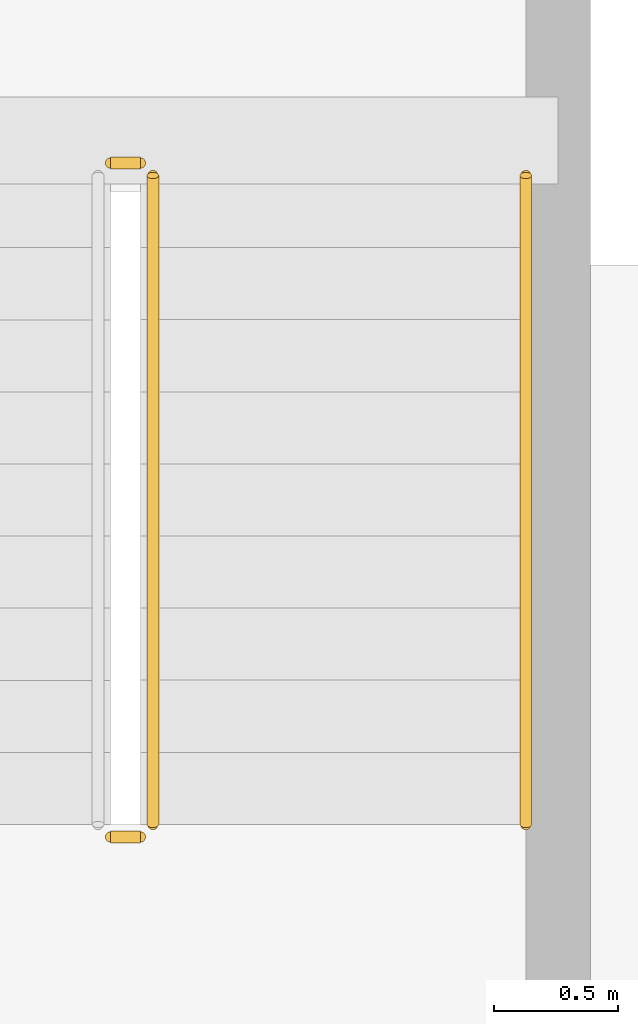
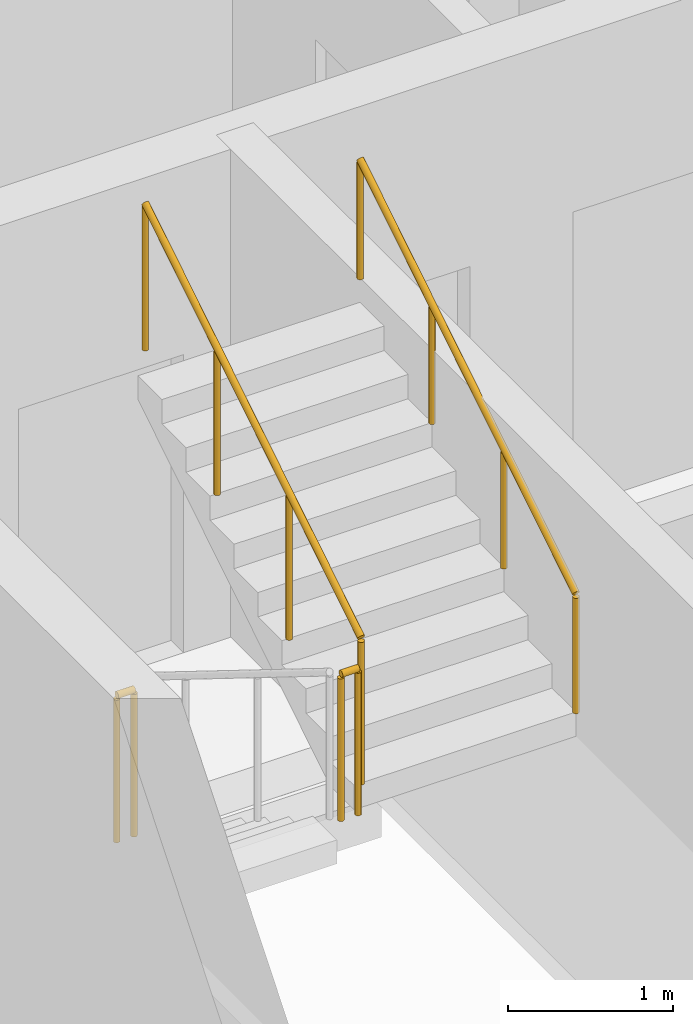
# One storey, part 21 of 22: 4 railings.
"""IFC4 building model written with IfcOpenShell, lengths in metres."""

from ifc_helpers import new_model, si_unit, direction, frame, origin, origin_2d, place, context, subcontext, project, spatial, circle, extrude, material, type_object, element, save


model = new_model("IFC4")

# Units and contexts
model_context = context("Model", 3, precision=1e-05, world=origin(), true_north=direction((0.0, 1.0)))
body_context = subcontext(model_context, "Body", "Model", "MODEL_VIEW")
ifc_project = project(units=[si_unit("LENGTHUNIT", "METRE"), si_unit("AREAUNIT", "SQUARE_METRE"), si_unit("VOLUMEUNIT", "CUBIC_METRE"), si_unit("PLANEANGLEUNIT", "RADIAN"), si_unit("MASSUNIT", "GRAM", prefix="KILO")], contexts=[model_context])

# Site, building, storey
site_placement = place(None, origin())
site = spatial("IfcSite", under=ifc_project, at=site_placement, CompositionType="ELEMENT")
building_placement = place(site_placement, origin())
building = spatial("IfcBuilding", under=site, at=building_placement, Name="Vharandega Faculty of Natural Sciences", CompositionType="ELEMENT")
storey_placement = place(building_placement, frame((0.0, 0.0, 28.800048828125)))
storey = spatial("IfcBuildingStorey", under=building, at=storey_placement, Name="L07", CompositionType="ELEMENT", Elevation=28.800048828125)

# Railings
ifc_material_1 = material(Name="Brushed stainless steel handrail", Category="steel")
railing_type_1 = type_object("IfcRailingType", Name="Stair Tubular Handrail 900", PredefinedType="HANDRAIL", material=ifc_material_1)
railing_1_placement = place(storey_placement, frame((149.330078125, 68.050048828125, 1.97998046875)))
element("IfcRailing", 1, at=railing_1_placement, inside=storey, type_object=railing_type_1, Name="L07 ST2 stair handrail 2", PredefinedType="HANDRAIL", context=body_context, shape_type="SweptSolid", body=[
    extrude(circle(Radius=0.02392578125, at=origin_2d()), frame((0.0, 0.0, 0.8759765625), z_axis=(0.0, 0.849646306263, 0.527352969322), x_axis=(-1.0, 0.0, 0.0)), (0.0, 0.0, 1.0), 3.07177734375),
    extrude(circle(Radius=0.02099609375, at=origin_2d()), origin(), (0.0, 0.0, 1.0), 0.851806640625),
    extrude(circle(Radius=0.02099609375, at=origin_2d()), frame((0.0, 0.869873046875, 0.5400390625)), (0.0, 0.0, 1.0), 0.851806640625),
    extrude(circle(Radius=0.02099609375, at=origin_2d()), frame((0.0, 1.739990234375, 1.079833984375)), (0.0, 0.0, 1.0), 0.851806640625),
    extrude(circle(Radius=0.02099609375, at=origin_2d()), frame((0.0, 2.60986328125, 1.619873046875)), (0.0, 0.0, 1.0), 0.851806640625),
])
ifc_material_2 = material(Name="Painted steel stair guardrail", Category="steel")
railing_type_2 = type_object("IfcRailingType", Name="Stairwell Steel Guardrail 1100", PredefinedType="GUARDRAIL", material=ifc_material_2)
railing_2_placement = place(storey_placement, frame((147.659912109375, 68.0, 1.800048828125)))
element("IfcRailing", 2, at=railing_2_placement, inside=storey, type_object=railing_type_2, Name="L07 ST2 stair guard 2", PredefinedType="GUARDRAIL", context=body_context, shape_type="SweptSolid", body=[
    extrude(circle(Radius=0.02392578125, at=origin_2d()), frame((0.0, 0.0, 1.076171875), z_axis=(1.0, 0.0, 0.0), x_axis=(0.0, 1.0, 0.0)), (0.0, 0.0, 1.0), 0.1201171875),
    extrude(circle(Radius=0.02099609375, at=origin_2d()), origin(), (0.0, 0.0, 1.0), 1.052001953125),
    extrude(circle(Radius=0.02099609375, at=origin_2d()), frame((0.1201171875, 0.0, 0.0)), (0.0, 0.0, 1.0), 1.052001953125),
])
railing_3_placement = place(storey_placement, frame((147.830078125, 68.050048828125, 1.97998046875)))
element("IfcRailing", 3, at=railing_3_placement, inside=storey, type_object=railing_type_2, Name="L07 ST2 stair guard 3", PredefinedType="GUARDRAIL", context=body_context, shape_type="SweptSolid", body=[
    extrude(circle(Radius=0.02392578125, at=origin_2d()), frame((0.0, 0.0, 1.076171875), z_axis=(0.0, 0.849646306263, 0.527352969322), x_axis=(-1.0, 0.0, 0.0)), (0.0, 0.0, 1.0), 3.07177734375),
    extrude(circle(Radius=0.02099609375, at=origin_2d()), origin(), (0.0, 0.0, 1.0), 1.052001953125),
    extrude(circle(Radius=0.02099609375, at=origin_2d()), frame((0.0, 0.869873046875, 0.5400390625)), (0.0, 0.0, 1.0), 1.052001953125),
    extrude(circle(Radius=0.02099609375, at=origin_2d()), frame((0.0, 1.739990234375, 1.079833984375)), (0.0, 0.0, 1.0), 1.052001953125),
    extrude(circle(Radius=0.02099609375, at=origin_2d()), frame((0.0, 2.60986328125, 1.619873046875)), (0.0, 0.0, 1.0), 1.052001953125),
])
railing_4_placement = place(storey_placement, frame((147.659912109375, 70.7099609375, 0.0)))
element("IfcRailing", 4, at=railing_4_placement, inside=storey, type_object=railing_type_2, Name="L07 ST2 stair guard 4", PredefinedType="GUARDRAIL", context=body_context, shape_type="SweptSolid", body=[
    extrude(circle(Radius=0.02392578125, at=origin_2d()), frame((0.0, 0.0, 1.076171875), z_axis=(1.0, 0.0, 0.0), x_axis=(0.0, 1.0, 0.0)), (0.0, 0.0, 1.0), 0.1201171875),
    extrude(circle(Radius=0.02099609375, at=origin_2d()), origin(), (0.0, 0.0, 1.0), 1.052001953125),
    extrude(circle(Radius=0.02099609375, at=origin_2d()), frame((0.1201171875, 0.0, 0.0)), (0.0, 0.0, 1.0), 1.052001953125),
])

save(model, "model.ifc")
